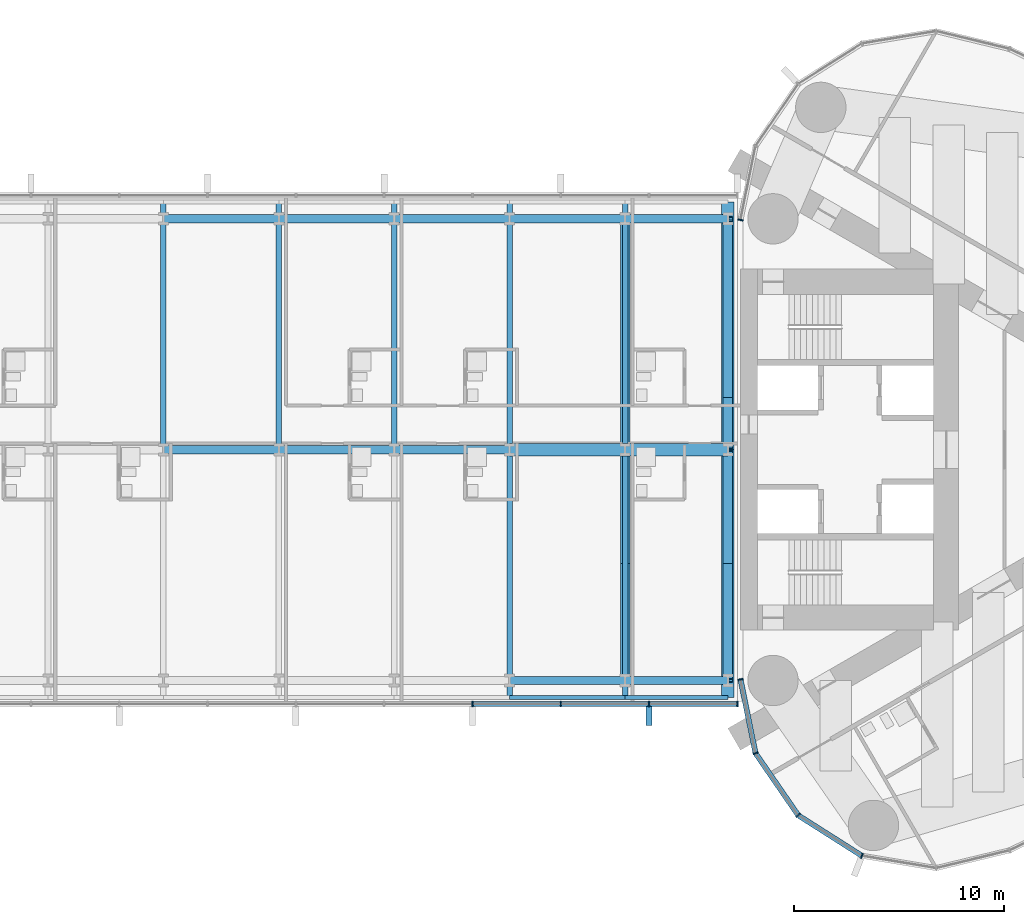
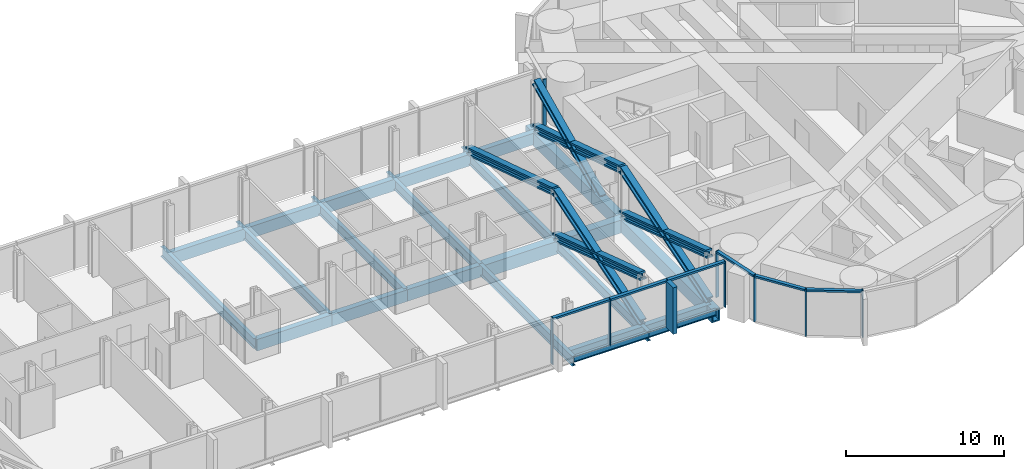
# One storey, part 7 of 22: 23 beams, 23 members, 2 elements without a shape of their own.
"""IFC4 building model written with IfcOpenShell, lengths in metres."""

from ifc_helpers import new_model, si_unit, direction, frame, origin, origin_2d, place, context, subcontext, project, spatial, rectangle, hollow_rectangle, i_section, extrude, material, material_profile, profile_set, type_object, element, aggregate, save


model = new_model("IFC4")

# Units and contexts
model_context = context("Model", 3, precision=1e-05, world=origin(), true_north=direction((0.0, 1.0)))
body_context = subcontext(model_context, "Body", "Model", "MODEL_VIEW")
ifc_project = project(units=[si_unit("LENGTHUNIT", "METRE"), si_unit("AREAUNIT", "SQUARE_METRE"), si_unit("VOLUMEUNIT", "CUBIC_METRE"), si_unit("PLANEANGLEUNIT", "RADIAN"), si_unit("MASSUNIT", "GRAM", prefix="KILO")], contexts=[model_context])

# Site, building, storey
site_placement = place(None, origin())
site = spatial("IfcSite", under=ifc_project, at=site_placement, CompositionType="ELEMENT")
building_placement = place(site_placement, origin())
building = spatial("IfcBuilding", under=site, at=building_placement, Name="Lancet Gate Hotel", CompositionType="ELEMENT")
storey_placement = place(building_placement, frame((0.0, 0.0, 226.10009765625)))
storey = spatial("IfcBuildingStorey", under=building, at=storey_placement, Name="L60", CompositionType="ELEMENT", Elevation=226.10009765625)

# Curtain wall, members
ifc_material_1 = material(Name="Aluminium curtain wall", Category="aluminium")
curtain_wall_type_1 = type_object("IfcCurtainWallType", Name="Tower unitised curtain wall", PredefinedType="USERDEFINED", material=ifc_material_1)
curtain_wall_1_placement = place(storey_placement, origin())
curtain_wall_1 = element("IfcCurtainWall", 1, at=curtain_wall_1_placement, inside=storey, type_object=curtain_wall_type_1, Name="T2 L60 curtain wall 1", ObjectType="UNITISED CURTAIN WALL", PredefinedType="USERDEFINED")
ifc_material_2 = material(Name="Aluminium mullion", Category="aluminium")
ifc_material_profile_1 = material_profile(ifc_material_2, rectangle(XDim=0.06494140625, YDim=0.25, at=origin_2d()), Name="MULLION 65x250")
ifc_profile_set_1 = profile_set([ifc_material_profile_1], Name="Aluminium mullion")
member_type_1 = type_object("IfcMemberType", Name="Aluminium mullion 65x250", PredefinedType="MULLION", material=ifc_profile_set_1)
member_1_placement = place(storey_placement, frame((27.5, -10.947998046875, 0.0), z_axis=(0.0, 0.0, 1.0), x_axis=(0.199533486841, -0.979891008036, 0.0)))
member_1 = element("IfcMember", 2, at=member_1_placement, type_object=member_type_1, Name="T2 L60 curtain wall 1 mullion 1", PredefinedType="MULLION", context=body_context, shape_type="SweptSolid", body=[
    extrude(rectangle(XDim=0.06494140625, YDim=0.25, at=origin_2d()), origin(), (0.0, 0.0, 1.0), 3.599853515625),
])
member_2_placement = place(storey_placement, frame((28.216552734375, -14.467529296875, 0.0), z_axis=(0.0, 0.0, 1.0), x_axis=(0.391042139098, -0.920372775265, 0.0)))
member_2 = element("IfcMember", 3, at=member_2_placement, type_object=member_type_1, Name="T2 L60 curtain wall 1 mullion 2", PredefinedType="MULLION", context=body_context, shape_type="SweptSolid", body=[
    extrude(rectangle(XDim=0.06494140625, YDim=0.25, at=origin_2d()), origin(), (0.0, 0.0, 1.0), 3.599853515625),
])
member_3_placement = place(storey_placement, frame((30.25244140625, -17.42626953125, 0.0), z_axis=(0.0, 0.0, 1.0), x_axis=(0.719809077627, -0.694172090886, 0.0)))
member_3 = element("IfcMember", 4, at=member_3_placement, type_object=member_type_1, Name="T2 L60 curtain wall 1 mullion 3", PredefinedType="MULLION", context=body_context, shape_type="SweptSolid", body=[
    extrude(rectangle(XDim=0.06494140625, YDim=0.25, at=origin_2d()), origin(), (0.0, 0.0, 1.0), 3.599853515625),
])
member_4_placement = place(storey_placement, frame((33.283203125, -19.353515625, 0.0), z_axis=(0.0, 0.0, 1.0), x_axis=(0.93394321776, -0.357421412343, 0.0)))
member_4 = element("IfcMember", 5, at=member_4_placement, type_object=member_type_1, Name="T2 L60 curtain wall 1 mullion 4", PredefinedType="MULLION", context=body_context, shape_type="SweptSolid", body=[
    extrude(rectangle(XDim=0.06494140625, YDim=0.25, at=origin_2d()), origin(), (0.0, 0.0, 1.0), 3.599853515625),
])
member_5_placement = place(storey_placement, frame((27.5, 10.947998046875, 0.0), z_axis=(0.0, 0.0, 1.0), x_axis=(-0.199533486841, -0.979891008036, 0.0)))
member_5 = element("IfcMember", 6, at=member_5_placement, type_object=member_type_1, Name="T2 L60 curtain wall 1 mullion 27", PredefinedType="MULLION", context=body_context, shape_type="SweptSolid", body=[
    extrude(rectangle(XDim=0.06494140625, YDim=0.25, at=origin_2d()), origin(), (0.0, 0.0, 1.0), 3.599853515625),
])

ifc_material_3 = material(Name="Aluminium curtain wall", Category="aluminium")
curtain_wall_type_2 = type_object("IfcCurtainWallType", Name="Bridge block curtain wall", PredefinedType="USERDEFINED", material=ifc_material_3)
curtain_wall_2_placement = place(storey_placement, origin())
curtain_wall_2 = element("IfcCurtainWall", 7, at=curtain_wall_2_placement, inside=storey, type_object=curtain_wall_type_2, Name="Bridge block L60 curtain wall S", ObjectType="UNITISED CURTAIN WALL", PredefinedType="USERDEFINED")
member_6_placement = place(storey_placement, frame((14.726806640625, -12.1201171875, 0.0), z_axis=(0.0, 0.0, 1.0), x_axis=(1.0, 0.0, 0.0)))
member_6 = element("IfcMember", 8, at=member_6_placement, type_object=member_type_1, Name="Bridge block L60 curtain wall S mullion 11", PredefinedType="MULLION", context=body_context, shape_type="SweptSolid", body=[
    extrude(rectangle(XDim=0.06494140625, YDim=0.25, at=origin_2d()), origin(), (0.0, 0.0, 1.0), 3.599853515625),
])
member_7_placement = place(storey_placement, frame((18.9345703125, -12.1201171875, 0.0), z_axis=(0.0, 0.0, 1.0), x_axis=(1.0, 0.0, 0.0)))
member_7 = element("IfcMember", 9, at=member_7_placement, type_object=member_type_1, Name="Bridge block L60 curtain wall S mullion 12", PredefinedType="MULLION", context=body_context, shape_type="SweptSolid", body=[
    extrude(rectangle(XDim=0.06494140625, YDim=0.25, at=origin_2d()), origin(), (0.0, 0.0, 1.0), 3.599853515625),
])
member_8_placement = place(storey_placement, frame((23.142333984375, -12.1201171875, 0.0), z_axis=(0.0, 0.0, 1.0), x_axis=(1.0, 0.0, 0.0)))
member_8 = element("IfcMember", 10, at=member_8_placement, type_object=member_type_1, Name="Bridge block L60 curtain wall S mullion 13", PredefinedType="MULLION", context=body_context, shape_type="SweptSolid", body=[
    extrude(rectangle(XDim=0.06494140625, YDim=0.25, at=origin_2d()), origin(), (0.0, 0.0, 1.0), 3.599853515625),
])
member_9_placement = place(storey_placement, frame((27.35009765625, -12.1201171875, 0.0), z_axis=(0.0, 0.0, 1.0), x_axis=(1.0, 0.0, 0.0)))
member_9 = element("IfcMember", 11, at=member_9_placement, type_object=member_type_1, Name="Bridge block L60 curtain wall S mullion 14", PredefinedType="MULLION", context=body_context, shape_type="SweptSolid", body=[
    extrude(rectangle(XDim=0.06494140625, YDim=0.25, at=origin_2d()), origin(), (0.0, 0.0, 1.0), 3.599853515625),
])

# Member
ifc_material_4 = material(Name="Aluminium transom", Category="aluminium")
ifc_material_profile_2 = material_profile(ifc_material_4, rectangle(XDim=0.25, YDim=0.14990234375, at=origin_2d()), Name="TRANSOM 250x150")
ifc_profile_set_2 = profile_set([ifc_material_profile_2], Name="Aluminium transom")
member_type_2 = type_object("IfcMemberType", Name="Aluminium transom 250x150", PredefinedType="USERDEFINED", material=ifc_profile_set_2)
member_10_placement = place(storey_placement, frame((27.506591796875, -10.97998046875, 3.52490234375), z_axis=(0.19952323725, -0.979893095086, 0.0), x_axis=(0.979893095086, 0.19952323725, 0.0)))
member_10 = element("IfcMember", 12, at=member_10_placement, type_object=member_type_2, Name="T2 L60 curtain wall 1 transom 1", ObjectType="TRANSOM", PredefinedType="USERDEFINED", context=body_context, shape_type="SweptSolid", body=[
    extrude(rectangle(XDim=0.25, YDim=0.14990234375, at=origin_2d()), origin(), (0.0, 0.0, 1.0), 3.5263671875),
])

member_11_placement = place(storey_placement, frame((28.235107421875, -14.494140625, 3.52490234375), z_axis=(0.566813768052, -0.82384595183, 0.0), x_axis=(0.82384595183, 0.566813768052, 0.0)))
member_11 = element("IfcMember", 13, at=member_11_placement, type_object=member_type_2, Name="T2 L60 curtain wall 1 transom 2", ObjectType="TRANSOM", PredefinedType="USERDEFINED", context=body_context, shape_type="SweptSolid", body=[
    extrude(rectangle(XDim=0.25, YDim=0.14990234375, at=origin_2d()), origin(), (0.0, 0.0, 1.0), 3.52685546875),
])

member_12_placement = place(storey_placement, frame((30.27978515625, -17.44384765625, 3.52490234375), z_axis=(0.84385811281, -0.536566384938, 0.0), x_axis=(0.536566384938, 0.84385811281, 0.0)))
member_12 = element("IfcMember", 14, at=member_12_placement, type_object=member_type_2, Name="T2 L60 curtain wall 1 transom 3", ObjectType="TRANSOM", PredefinedType="USERDEFINED", context=body_context, shape_type="SweptSolid", body=[
    extrude(rectangle(XDim=0.25, YDim=0.14990234375, at=origin_2d()), origin(), (0.0, 0.0, 1.0), 3.52685546875),
])

aggregate(curtain_wall_1, [member_1, member_2, member_3, member_4, member_5, member_10, member_11, member_12])

member_13_placement = place(storey_placement, frame((14.759521484375, -12.1201171875, 3.52490234375), z_axis=(1.0, 0.0, 0.0), x_axis=(0.0, 1.0, 0.0)))
member_13 = element("IfcMember", 15, at=member_13_placement, type_object=member_type_2, Name="Bridge block L60 curtain wall S transom 11", ObjectType="TRANSOM", PredefinedType="USERDEFINED", context=body_context, shape_type="SweptSolid", body=[
    extrude(rectangle(XDim=0.25, YDim=0.14990234375, at=origin_2d()), origin(), (0.0, 0.0, 1.0), 4.142578125),
])

member_14_placement = place(storey_placement, frame((18.967041015625, -12.1201171875, 3.52490234375), z_axis=(1.0, 0.0, 0.0), x_axis=(0.0, 1.0, 0.0)))
member_14 = element("IfcMember", 16, at=member_14_placement, type_object=member_type_2, Name="Bridge block L60 curtain wall S transom 12", ObjectType="TRANSOM", PredefinedType="USERDEFINED", context=body_context, shape_type="SweptSolid", body=[
    extrude(rectangle(XDim=0.25, YDim=0.14990234375, at=origin_2d()), origin(), (0.0, 0.0, 1.0), 4.142822265625),
])

member_15_placement = place(storey_placement, frame((23.1748046875, -12.1201171875, 3.52490234375), z_axis=(1.0, 0.0, 0.0), x_axis=(0.0, 1.0, 0.0)))
member_15 = element("IfcMember", 17, at=member_15_placement, type_object=member_type_2, Name="Bridge block L60 curtain wall S transom 13", ObjectType="TRANSOM", PredefinedType="USERDEFINED", context=body_context, shape_type="SweptSolid", body=[
    extrude(rectangle(XDim=0.25, YDim=0.14990234375, at=origin_2d()), origin(), (0.0, 0.0, 1.0), 4.142578125),
])

# Members
ifc_material_5 = material(Name="Steel S460", Category="steel")
ifc_material_profile_3 = material_profile(ifc_material_5, i_section(OverallWidth=0.4541015625, OverallDepth=0.569091796875, WebThickness=0.077880859375, FlangeThickness=0.125, FilletRadius=0.02001953125, at=origin_2d()), Name="HD 400x1086")
ifc_profile_set_3 = profile_set([ifc_material_profile_3], Name="Steel S460")
member_type_3 = type_object("IfcMemberType", Name="Block brace HD 400x1086", PredefinedType="BRACE", material=ifc_profile_set_3)
member_16_placement = place(storey_placement, frame((26.89990234375, -11.0, 0.0), z_axis=(0.0, 0.952925780013, 0.303203657277), x_axis=(-1.0, 0.0, 0.0)))
element("IfcMember", 18, at=member_16_placement, inside=storey, type_object=member_type_3, Name="Block brace EY11 L60", PredefinedType="BRACE", context=body_context, shape_type="SweptSolid", body=[
    extrude(i_section(OverallWidth=0.4541015625, OverallDepth=0.569091796875, WebThickness=0.077880859375, FlangeThickness=0.125, FilletRadius=0.02001953125, at=origin_2d()), origin(), (0.0, 0.0, 1.0), 11.54345703125),
])
member_17_placement = place(storey_placement, frame((26.89990234375, 0.0, 0.0), z_axis=(0.0, -0.950400870301, 0.311027628564), x_axis=(1.0, 0.0, 0.0)))
element("IfcMember", 19, at=member_17_placement, inside=storey, type_object=member_type_3, Name="Block brace EY12 L60", PredefinedType="BRACE", context=body_context, shape_type="SweptSolid", body=[
    extrude(i_section(OverallWidth=0.4541015625, OverallDepth=0.569091796875, WebThickness=0.077880859375, FlangeThickness=0.125, FilletRadius=0.02001953125, at=origin_2d()), origin(), (0.0, 0.0, 1.0), 11.573974609375),
])
for number, where, z_axis, x_axis, name in (
    (20, (26.89990234375, 11.0, 0.0), (0.0, -0.952925780013, 0.303203657277), (1.0, 0.0, 0.0), "Block brace EY22 L60"),
    (21, (22.0, -11.0, 0.0), (0.0, 0.952925780013, 0.303203657277), (-1.0, 0.0, 0.0), "Block brace EI11 L60"),
):
    element("IfcMember", number, at=place(storey_placement, frame(where, z_axis=z_axis, x_axis=x_axis)), inside=storey, type_object=member_type_3, Name=name, PredefinedType="BRACE", context=body_context, shape_type="SweptSolid", body=[
        extrude(i_section(OverallWidth=0.4541015625, OverallDepth=0.569091796875, WebThickness=0.077880859375, FlangeThickness=0.125, FilletRadius=0.02001953125, at=origin_2d()), origin(), (0.0, 0.0, 1.0), 11.54345703125),
    ])
member_18_placement = place(storey_placement, frame((22.0, 0.0, 0.0), z_axis=(0.0, -0.950400870301, 0.311027628564), x_axis=(1.0, 0.0, 0.0)))
element("IfcMember", 22, at=member_18_placement, inside=storey, type_object=member_type_3, Name="Block brace EI12 L60", PredefinedType="BRACE", context=body_context, shape_type="SweptSolid", body=[
    extrude(i_section(OverallWidth=0.4541015625, OverallDepth=0.569091796875, WebThickness=0.077880859375, FlangeThickness=0.125, FilletRadius=0.02001953125, at=origin_2d()), origin(), (0.0, 0.0, 1.0), 11.573974609375),
])
member_19_placement = place(storey_placement, frame((22.0, 11.0, 0.0), z_axis=(0.0, -0.952925780013, 0.303203657277), x_axis=(1.0, 0.0, 0.0)))
element("IfcMember", 23, at=member_19_placement, inside=storey, type_object=member_type_3, Name="Block brace EI22 L60", PredefinedType="BRACE", context=body_context, shape_type="SweptSolid", body=[
    extrude(i_section(OverallWidth=0.4541015625, OverallDepth=0.569091796875, WebThickness=0.077880859375, FlangeThickness=0.125, FilletRadius=0.02001953125, at=origin_2d()), origin(), (0.0, 0.0, 1.0), 11.54345703125),
])
member_20_placement = place(storey_placement, frame((26.89990234375, 2.60009765625, -0.300048828125), z_axis=(0.0, 0.907011125382, 0.421106659212), x_axis=(-1.0, 0.0, 0.0)))
element("IfcMember", 24, at=member_20_placement, inside=storey, type_object=member_type_3, Name="Block brace EY23 L60", PredefinedType="BRACE", context=body_context, shape_type="SweptSolid", body=[
    extrude(i_section(OverallWidth=0.4541015625, OverallDepth=0.569091796875, WebThickness=0.077880859375, FlangeThickness=0.125, FilletRadius=0.02001953125, at=origin_2d()), origin(), (0.0, 0.0, 1.0), 9.260986328125),
])

# Beams
ifc_material_6 = material(Name="Steel S355", Category="steel")
ifc_material_profile_4 = material_profile(ifc_material_6, i_section(OverallWidth=0.19140625, OverallDepth=0.4599609375, WebThickness=0.010009765625, FlangeThickness=0.01611328125, FilletRadius=0.01025390625, at=origin_2d()), Name="UKB 457x191x82")
ifc_profile_set_4 = profile_set([ifc_material_profile_4], Name="Steel S355")
beam_type_1 = type_object("IfcBeamType", Name="Block edge beam UKB 457x191x82", PredefinedType="SPANDREL", material=ifc_profile_set_4)
beam_1_placement = place(storey_placement, frame((16.5, -11.800048828125, -0.43017578125), z_axis=(1.0, 0.0, 0.0), x_axis=(0.0, 1.0, 0.0)))
element("IfcBeam", 25, at=beam_1_placement, inside=storey, type_object=beam_type_1, Name="Block edge beam S 8-9 L60", PredefinedType="SPANDREL", context=body_context, shape_type="SweptSolid", body=[
    extrude(i_section(OverallWidth=0.19140625, OverallDepth=0.4599609375, WebThickness=0.010009765625, FlangeThickness=0.01611328125, FilletRadius=0.01025390625, at=origin_2d()), origin(), (0.0, 0.0, 1.0), 5.5),
])
beam_2_placement = place(storey_placement, frame((22.0, -11.800048828125, -0.43017578125), z_axis=(1.0, 0.0, 0.0), x_axis=(0.0, 1.0, 0.0)))
element("IfcBeam", 26, at=beam_2_placement, inside=storey, type_object=beam_type_1, Name="Block edge beam S 9-10 L60", PredefinedType="SPANDREL", context=body_context, shape_type="SweptSolid", body=[
    extrude(i_section(OverallWidth=0.19140625, OverallDepth=0.4599609375, WebThickness=0.010009765625, FlangeThickness=0.01611328125, FilletRadius=0.01025390625, at=origin_2d()), origin(), (0.0, 0.0, 1.0), 4.89990234375),
])
ifc_material_7 = material(Name="Steel S460QL", Category="steel")
ifc_material_profile_5 = material_profile(ifc_material_7, hollow_rectangle(XDim=0.60009765625, YDim=1.0, WallThickness=0.10009765625, at=origin_2d()), Name="BOX 1000x600x100")
ifc_profile_set_5 = profile_set([ifc_material_profile_5], Name="Steel S460QL")
beam_type_2 = type_object("IfcBeamType", Name="Block end beam BOX 1000x600x100", PredefinedType="BEAM", material=ifc_profile_set_5)
for number, where, z_axis, x_axis, name in (
    (27, (26.89990234375, -11.800048828125, -0.7001953125), (0.0, 1.0, 0.0), (-1.0, 0.0, 0.0), "Block beam x10 S L60"),
    (28, (26.89990234375, 0.0, -0.7001953125), (0.0, 1.0, 0.0), (-1.0, 0.0, 0.0), "Block beam x10 N L60"),
):
    element("IfcBeam", number, at=place(storey_placement, frame(where, z_axis=z_axis, x_axis=x_axis)), inside=storey, type_object=beam_type_2, Name=name, PredefinedType="BEAM", context=body_context, shape_type="SweptSolid", body=[
        extrude(hollow_rectangle(XDim=0.60009765625, YDim=1.0, WallThickness=0.10009765625, at=origin_2d()), origin(), (0.0, 0.0, 1.0), 11.800048828125),
    ])
ifc_material_8 = material(Name="Steel S460QL", Category="steel")
ifc_material_profile_6 = material_profile(ifc_material_8, hollow_rectangle(XDim=0.60009765625, YDim=1.0, WallThickness=0.080078125, at=origin_2d()), Name="BOX 1000x600x80")
ifc_profile_set_6 = profile_set([ifc_material_profile_6], Name="Steel S460QL")
beam_type_3 = type_object("IfcBeamType", Name="Block primary beam BOX 1000x600x80", PredefinedType="BEAM", material=ifc_profile_set_6)
beam_3_placement = place(storey_placement, frame((16.5, 0.0, -0.7001953125), z_axis=(1.0, 0.0, 0.0), x_axis=(0.0, 1.0, 0.0)))
element("IfcBeam", 29, at=beam_3_placement, inside=storey, type_object=beam_type_3, Name="Block primary beam M 9 L60", PredefinedType="BEAM", context=body_context, shape_type="SweptSolid", body=[
    extrude(hollow_rectangle(XDim=0.60009765625, YDim=1.0, WallThickness=0.080078125, at=origin_2d()), origin(), (0.0, 0.0, 1.0), 5.5),
])
beam_4_placement = place(storey_placement, frame((22.0, 0.0, -0.7001953125), z_axis=(1.0, 0.0, 0.0), x_axis=(0.0, 1.0, 0.0)))
element("IfcBeam", 30, at=beam_4_placement, inside=storey, type_object=beam_type_3, Name="Block primary beam M 10 L60", PredefinedType="BEAM", context=body_context, shape_type="SweptSolid", body=[
    extrude(hollow_rectangle(XDim=0.60009765625, YDim=1.0, WallThickness=0.080078125, at=origin_2d()), origin(), (0.0, 0.0, 1.0), 4.89990234375),
])
ifc_material_9 = material(Name="Steel S355", Category="steel")
ifc_material_profile_7 = material_profile(ifc_material_9, hollow_rectangle(XDim=0.39990234375, YDim=0.89990234375, WallThickness=0.0400390625, at=origin_2d()), Name="BOX 900x400x40")
ifc_profile_set_7 = profile_set([ifc_material_profile_7], Name="Steel S355")
beam_type_4 = type_object("IfcBeamType", Name="Block primary beam BOX 900x400x40", PredefinedType="BEAM", material=ifc_profile_set_7)
beam_5_placement = place(storey_placement, frame((16.5, -11.0, -0.650146484375), z_axis=(1.0, 0.0, 0.0), x_axis=(0.0, 1.0, 0.0)))
element("IfcBeam", 31, at=beam_5_placement, inside=storey, type_object=beam_type_4, Name="Block primary beam S 9 L60", PredefinedType="BEAM", context=body_context, shape_type="SweptSolid", body=[
    extrude(hollow_rectangle(XDim=0.39990234375, YDim=0.89990234375, WallThickness=0.0400390625, at=origin_2d()), origin(), (0.0, 0.0, 1.0), 5.5),
])
beam_6_placement = place(storey_placement, frame((22.0, -11.0, -0.650146484375), z_axis=(1.0, 0.0, 0.0), x_axis=(0.0, 1.0, 0.0)))
element("IfcBeam", 32, at=beam_6_placement, inside=storey, type_object=beam_type_4, Name="Block primary beam S 10 L60", PredefinedType="BEAM", context=body_context, shape_type="SweptSolid", body=[
    extrude(hollow_rectangle(XDim=0.39990234375, YDim=0.89990234375, WallThickness=0.0400390625, at=origin_2d()), origin(), (0.0, 0.0, 1.0), 4.89990234375),
])
for number, where, z_axis, x_axis, name in (
    (33, (0.0, 0.0, -0.650146484375), (1.0, 0.0, 0.0), (0.0, 1.0, 0.0), "Block primary beam M 6 L60"),
    (34, (5.5, 0.0, -0.650146484375), (1.0, 0.0, 0.0), (0.0, 1.0, 0.0), "Block primary beam M 7 L60"),
    (35, (11.0, 0.0, -0.650146484375), (1.0, 0.0, 0.0), (0.0, 1.0, 0.0), "Block primary beam M 8 L60"),
    (36, (0.0, 11.0, -0.650146484375), (1.0, 0.0, 0.0), (0.0, 1.0, 0.0), "Block primary beam N 6 L60"),
    (37, (5.5, 11.0, -0.650146484375), (1.0, 0.0, 0.0), (0.0, 1.0, 0.0), "Block primary beam N 7 L60"),
    (38, (11.0, 11.0, -0.650146484375), (1.0, 0.0, 0.0), (0.0, 1.0, 0.0), "Block primary beam N 8 L60"),
    (39, (16.5, 11.0, -0.650146484375), (1.0, 0.0, 0.0), (0.0, 1.0, 0.0), "Block primary beam N 9 L60"),
):
    element("IfcBeam", number, at=place(storey_placement, frame(where, z_axis=z_axis, x_axis=x_axis)), inside=storey, type_object=beam_type_4, Name=name, PredefinedType="BEAM", context=body_context, shape_type="SweptSolid", body=[
        extrude(hollow_rectangle(XDim=0.39990234375, YDim=0.89990234375, WallThickness=0.0400390625, at=origin_2d()), origin(), (0.0, 0.0, 1.0), 5.5),
    ])
beam_7_placement = place(storey_placement, frame((22.0, 11.0, -0.650146484375), z_axis=(1.0, 0.0, 0.0), x_axis=(0.0, 1.0, 0.0)))
element("IfcBeam", 40, at=beam_7_placement, inside=storey, type_object=beam_type_4, Name="Block primary beam N 10 L60", PredefinedType="BEAM", context=body_context, shape_type="SweptSolid", body=[
    extrude(hollow_rectangle(XDim=0.39990234375, YDim=0.89990234375, WallThickness=0.0400390625, at=origin_2d()), origin(), (0.0, 0.0, 1.0), 4.89990234375),
])
ifc_material_10 = material(Name="Steel S355", Category="steel")
ifc_material_profile_8 = material_profile(ifc_material_10, i_section(OverallWidth=0.26806640625, OverallDepth=0.769775390625, WebThickness=0.015625, FlangeThickness=0.025390625, FilletRadius=0.0166015625, at=origin_2d()), Name="UKB 762x267x197")
ifc_profile_set_8 = profile_set([ifc_material_profile_8], Name="Steel S355")
beam_type_5 = type_object("IfcBeamType", Name="Block secondary beam UKB 762x267x197", PredefinedType="JOIST", material=ifc_profile_set_8)
for number, where, z_axis, x_axis, name in (
    (41, (0.0, 0.0, -0.5849609375), (0.0, 1.0, 0.0), (-1.0, 0.0, 0.0), "Block beam x5 N L60"),
    (42, (5.5, 0.0, -0.5849609375), (0.0, 1.0, 0.0), (-1.0, 0.0, 0.0), "Block beam x6 N L60"),
    (43, (11.0, 0.0, -0.5849609375), (0.0, 1.0, 0.0), (-1.0, 0.0, 0.0), "Block beam x7 N L60"),
    (44, (16.5, -11.800048828125, -0.5849609375), (0.0, 1.0, 0.0), (-1.0, 0.0, 0.0), "Block beam x8 S L60"),
    (45, (16.5, 0.0, -0.5849609375), (0.0, 1.0, 0.0), (-1.0, 0.0, 0.0), "Block beam x8 N L60"),
    (46, (22.0, -11.800048828125, -0.5849609375), (0.0, 1.0, 0.0), (-1.0, 0.0, 0.0), "Block beam x9 S L60"),
    (47, (22.0, 0.0, -0.5849609375), (0.0, 1.0, 0.0), (-1.0, 0.0, 0.0), "Block beam x9 N L60"),
):
    element("IfcBeam", number, at=place(storey_placement, frame(where, z_axis=z_axis, x_axis=x_axis)), inside=storey, type_object=beam_type_5, Name=name, PredefinedType="JOIST", context=body_context, shape_type="SweptSolid", body=[
        extrude(i_section(OverallWidth=0.26806640625, OverallDepth=0.769775390625, WebThickness=0.015625, FlangeThickness=0.025390625, FilletRadius=0.0166015625, at=origin_2d()), origin(), (0.0, 0.0, 1.0), 11.800048828125),
    ])

# Member
ifc_material_11 = material(Name="Precast concrete C50/60", Category="concrete")
ifc_material_profile_9 = material_profile(ifc_material_11, rectangle(XDim=0.300048828125, YDim=0.89990234375, at=origin_2d()), Name="FIN 300x900")
ifc_profile_set_9 = profile_set([ifc_material_profile_9], Name="Precast concrete C50/60")
member_type_4 = type_object("IfcMemberType", Name="Exposed concrete fin 300x900", PredefinedType="USERDEFINED", material=ifc_profile_set_9)
member_21_placement = place(storey_placement, frame((23.142333984375, -12.695068359375, 0.0), z_axis=(0.0, 0.0, 1.0), x_axis=(1.0, 0.0, 0.0)))
member_21 = element("IfcMember", 48, at=member_21_placement, type_object=member_type_4, Name="Bridge block L60 curtain wall S fin 13", ObjectType="FIN", PredefinedType="USERDEFINED", context=body_context, shape_type="SweptSolid", body=[
    extrude(rectangle(XDim=0.300048828125, YDim=0.89990234375, at=origin_2d()), origin(), (0.0, 0.0, 1.0), 3.599853515625),
])

aggregate(curtain_wall_2, [member_6, member_7, member_8, member_21, member_9, member_13, member_14, member_15])

save(model, "model.ifc")
